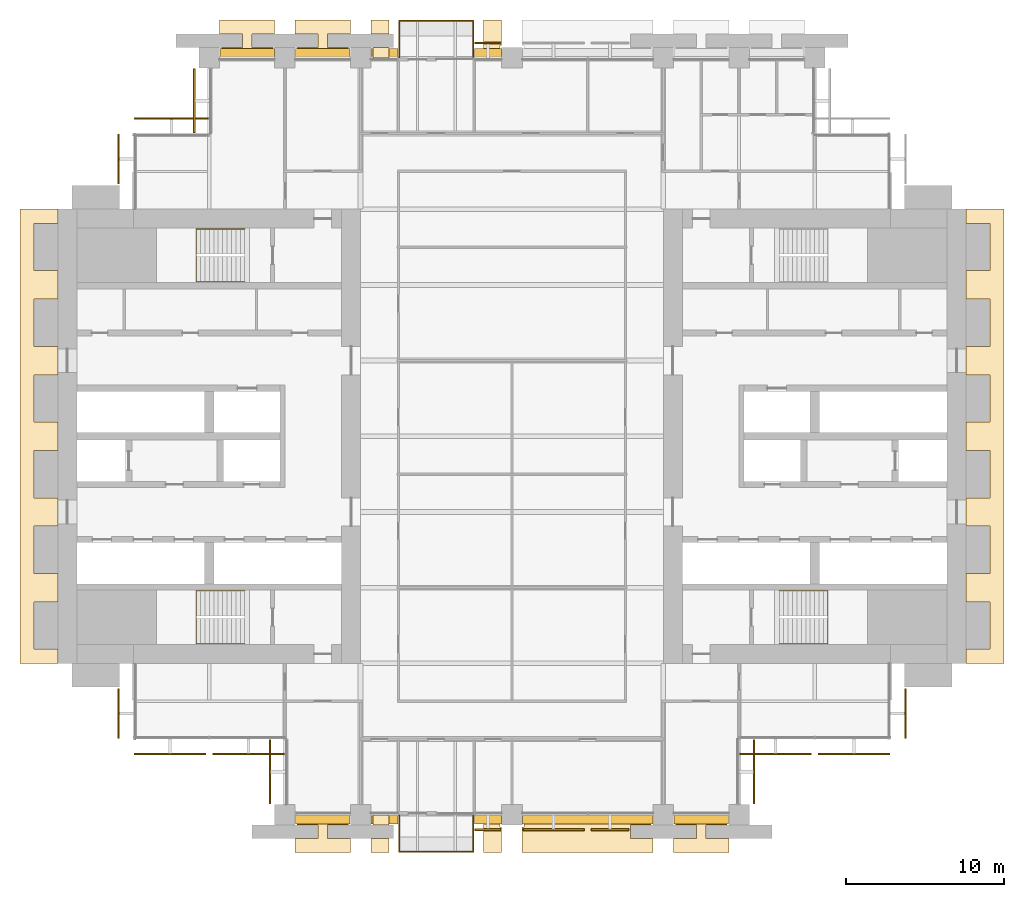
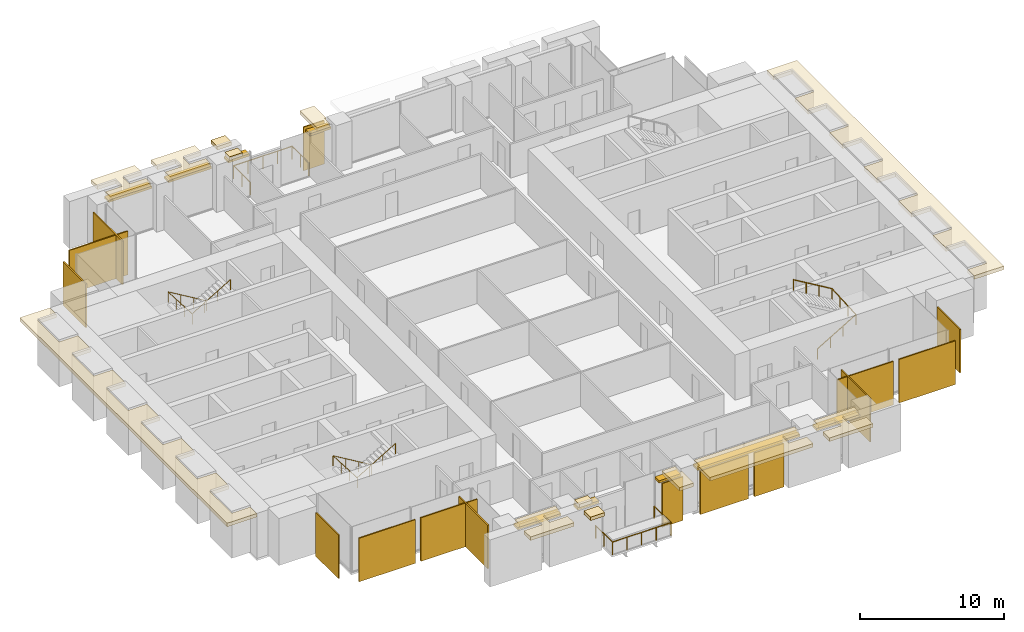
# One storey, part 14 of 15: 28 coverings, 9 shading devices, 5 railings.
"""IFC4 building model written with IfcOpenShell, lengths in metres."""

from ifc_helpers import new_model, si_unit, direction, frame, origin, origin_2d, place, context, subcontext, project, spatial, polyline, rectangle, circle, outline, extrude, material, layer, layer_set, type_object, element, save


model = new_model("IFC4")

# Units and contexts
model_context = context("Model", 3, precision=1e-05, world=origin(), true_north=direction((0.0, 1.0)))
body_context = subcontext(model_context, "Body", "Model", "MODEL_VIEW")
ifc_project = project(units=[si_unit("LENGTHUNIT", "METRE"), si_unit("AREAUNIT", "SQUARE_METRE"), si_unit("VOLUMEUNIT", "CUBIC_METRE"), si_unit("PLANEANGLEUNIT", "RADIAN"), si_unit("MASSUNIT", "GRAM", prefix="KILO")], contexts=[model_context])

# Site, building, storey
site_placement = place(None, origin())
site = spatial("IfcSite", under=ifc_project, at=site_placement, CompositionType="ELEMENT")
building_placement = place(site_placement, origin())
building = spatial("IfcBuilding", under=site, at=building_placement, Name="Baori Bourse Tower", CompositionType="ELEMENT")
storey_placement = place(building_placement, frame((0.0, 0.0, 71.0)))
storey = spatial("IfcBuildingStorey", under=building, at=storey_placement, Name="L15", CompositionType="ELEMENT", Elevation=71.0)

# Coverings
ifc_material_1 = material(Name="Pale anodised aluminium", Category="aluminium")
covering_type_1 = type_object("IfcCoveringType", Name="BD1 Pale metal band", PredefinedType="CLADDING", material=ifc_material_1)
covering_1_placement = place(storey_placement, frame((0.0, 0.0, 3.5400390625)))
element("IfcCovering", 1, at=covering_1_placement, inside=storey, type_object=covering_type_1, Name="Pale projecting band L15 1", PredefinedType="CLADDING", context=body_context, shape_type="SweptSolid", body=[
    extrude(outline(polyline([(57.60009765625, 10.5), (57.60009765625, 9.60009765625), (60.0, 9.60009765625), (60.0, 38.39990234375), (57.60009765625, 38.39990234375), (57.60009765625, 37.5), (59.10009765625, 37.5), (59.10009765625, 34.5), (57.60009765625, 34.5), (57.60009765625, 32.699951171875), (59.10009765625, 32.699951171875), (59.10009765625, 29.699951171875), (57.60009765625, 29.699951171875), (57.60009765625, 27.89990234375), (59.10009765625, 27.89990234375), (59.10009765625, 24.89990234375), (57.60009765625, 24.89990234375), (57.60009765625, 23.10009765625), (59.10009765625, 23.10009765625), (59.10009765625, 20.10009765625), (57.60009765625, 20.10009765625), (57.60009765625, 18.300048828125), (59.10009765625, 18.300048828125), (59.10009765625, 15.300048828125), (57.60009765625, 15.300048828125), (57.60009765625, 13.5), (59.10009765625, 13.5), (59.10009765625, 10.5), (57.60009765625, 10.5)])), origin(), (0.0, 0.0, 1.0), 0.300048828125),
])
covering_2_placement = place(storey_placement, frame((0.0, 0.0, 3.5400390625)))
element("IfcCovering", 2, at=covering_2_placement, inside=storey, type_object=covering_type_1, Name="Pale projecting band L15 5", PredefinedType="CLADDING", context=body_context, shape_type="SweptSolid", body=[
    extrude(outline(polyline([(27.0, 48.0), (28.030029296875, 48.0), (28.030029296875, 48.77001953125), (28.14990234375, 48.77001953125), (28.14990234375, 50.39990234375), (27.0, 50.39990234375), (27.0, 48.0)])), origin(), (0.0, 0.0, 1.0), 0.300048828125),
])
covering_3_placement = place(storey_placement, frame((0.0, 0.0, 3.5400390625)))
element("IfcCovering", 3, at=covering_3_placement, inside=storey, type_object=covering_type_1, Name="Pale projecting band L15 6", PredefinedType="CLADDING", context=body_context, shape_type="SweptSolid", body=[
    extrude(outline(polyline([(19.85009765625, 50.39990234375), (19.85009765625, 49.5), (21.0, 49.5), (21.0, 50.39990234375), (19.85009765625, 50.39990234375)])), origin(), (0.0, 0.0, 1.0), 0.300048828125),
])
covering_4_placement = place(storey_placement, frame((0.0, 0.0, 3.5400390625)))
element("IfcCovering", 4, at=covering_4_placement, inside=storey, type_object=covering_type_1, Name="Pale projecting band L15 7", PredefinedType="CLADDING", context=body_context, shape_type="SweptSolid", body=[
    extrude(outline(polyline([(19.969970703125, 48.0), (21.0, 48.0), (21.0, 48.64990234375), (19.969970703125, 48.64990234375), (19.969970703125, 48.0)])), origin(), (0.0, 0.0, 1.0), 0.300048828125),
])
covering_5_placement = place(storey_placement, frame((0.0, 0.0, 3.5400390625)))
element("IfcCovering", 5, at=covering_5_placement, inside=storey, type_object=covering_type_1, Name="Pale projecting band L15 8", PredefinedType="CLADDING", context=body_context, shape_type="SweptSolid", body=[
    extrude(outline(polyline([(15.169921875, 48.0), (18.429931640625, 48.0), (18.429931640625, 48.64990234375), (17.10009765625, 48.64990234375), (17.10009765625, 49.5), (18.550048828125, 49.5), (18.550048828125, 50.39990234375), (15.050048828125, 50.39990234375), (15.050048828125, 49.5), (16.5, 49.5), (16.5, 48.64990234375), (15.169921875, 48.64990234375), (15.169921875, 48.0)])), origin(), (0.0, 0.0, 1.0), 0.300048828125),
])
covering_6_placement = place(storey_placement, frame((0.0, 0.0, 3.5400390625)))
element("IfcCovering", 6, at=covering_6_placement, inside=storey, type_object=covering_type_1, Name="Pale projecting band L15 9", PredefinedType="CLADDING", context=body_context, shape_type="SweptSolid", body=[
    extrude(outline(polyline([(10.3701171875, 48.0), (13.6298828125, 48.0), (13.6298828125, 48.64990234375), (12.300048828125, 48.64990234375), (12.300048828125, 49.5), (13.75, 49.5), (13.75, 50.39990234375), (10.25, 50.39990234375), (10.25, 49.5), (11.699951171875, 49.5), (11.699951171875, 48.64990234375), (10.3701171875, 48.64990234375), (10.3701171875, 48.0)])), origin(), (0.0, 0.0, 1.0), 0.300048828125),
])
covering_7_placement = place(storey_placement, frame((0.0, 0.0, 3.5400390625)))
element("IfcCovering", 7, at=covering_7_placement, inside=storey, type_object=covering_type_1, Name="Pale projecting band L15 10", PredefinedType="CLADDING", context=body_context, shape_type="SweptSolid", body=[
    extrude(outline(polyline([(0.0, 37.5), (0.0, 38.39990234375), (-2.39990234375, 38.39990234375), (-2.39990234375, 9.60009765625), (0.0, 9.60009765625), (0.0, 10.5), (-1.5, 10.5), (-1.5, 13.5), (0.0, 13.5), (0.0, 15.300048828125), (-1.5, 15.300048828125), (-1.5, 18.300048828125), (0.0, 18.300048828125), (0.0, 20.10009765625), (-1.5, 20.10009765625), (-1.5, 23.10009765625), (0.0, 23.10009765625), (0.0, 24.89990234375), (-1.5, 24.89990234375), (-1.5, 27.89990234375), (0.0, 27.89990234375), (0.0, 29.699951171875), (-1.5, 29.699951171875), (-1.5, 32.699951171875), (0.0, 32.699951171875), (0.0, 34.5), (-1.5, 34.5), (-1.5, 37.5), (0.0, 37.5)])), origin(), (0.0, 0.0, 1.0), 0.300048828125),
])
covering_8_placement = place(storey_placement, frame((0.0, 0.0, 3.5400390625)))
element("IfcCovering", 8, at=covering_8_placement, inside=storey, type_object=covering_type_1, Name="Pale projecting band L15 11", PredefinedType="CLADDING", context=body_context, shape_type="SweptSolid", body=[
    extrude(outline(polyline([(18.429931640625, 0.0), (15.169921875, 0.0), (15.169921875, -0.64990234375), (16.5, -0.64990234375), (16.5, -1.5), (15.050048828125, -1.5), (15.050048828125, -2.39990234375), (18.550048828125, -2.39990234375), (18.550048828125, -1.5), (17.10009765625, -1.5), (17.10009765625, -0.64990234375), (18.429931640625, -0.64990234375), (18.429931640625, 0.0)])), origin(), (0.0, 0.0, 1.0), 0.300048828125),
])
covering_9_placement = place(storey_placement, frame((0.0, 0.0, 3.5400390625)))
element("IfcCovering", 9, at=covering_9_placement, inside=storey, type_object=covering_type_1, Name="Pale projecting band L15 12", PredefinedType="CLADDING", context=body_context, shape_type="SweptSolid", body=[
    extrude(outline(polyline([(19.85009765625, -2.39990234375), (21.0, -2.39990234375), (21.0, -1.5), (19.85009765625, -1.5), (19.85009765625, -2.39990234375)])), origin(), (0.0, 0.0, 1.0), 0.300048828125),
])
covering_10_placement = place(storey_placement, frame((0.0, 0.0, 3.5400390625)))
element("IfcCovering", 10, at=covering_10_placement, inside=storey, type_object=covering_type_1, Name="Pale projecting band L15 13", PredefinedType="CLADDING", context=body_context, shape_type="SweptSolid", body=[
    extrude(outline(polyline([(21.0, 0.0), (19.969970703125, 0.0), (19.969970703125, -0.64990234375), (21.0, -0.64990234375), (21.0, 0.0)])), origin(), (0.0, 0.0, 1.0), 0.300048828125),
])
covering_11_placement = place(storey_placement, frame((0.0, 0.0, 3.5400390625)))
element("IfcCovering", 11, at=covering_11_placement, inside=storey, type_object=covering_type_1, Name="Pale projecting band L15 14", PredefinedType="CLADDING", context=body_context, shape_type="SweptSolid", body=[
    extrude(outline(polyline([(28.030029296875, 0.0), (27.0, 0.0), (27.0, -2.39990234375), (28.14990234375, -2.39990234375), (28.14990234375, -0.77001953125), (28.030029296875, -0.77001953125), (28.030029296875, 0.0)])), origin(), (0.0, 0.0, 1.0), 0.300048828125),
])
covering_12_placement = place(storey_placement, frame((0.0, 0.0, 3.5400390625)))
element("IfcCovering", 12, at=covering_12_placement, inside=storey, type_object=covering_type_1, Name="Pale projecting band L15 15", PredefinedType="CLADDING", context=body_context, shape_type="SweptSolid", body=[
    extrude(outline(polyline([(37.6298828125, 0.0), (29.570068359375, 0.0), (29.570068359375, -0.77001953125), (29.449951171875, -0.77001953125), (29.449951171875, -2.39990234375), (37.75, -2.39990234375), (37.75, -1.5), (36.300048828125, -1.5), (36.300048828125, -0.64990234375), (37.6298828125, -0.64990234375), (37.6298828125, 0.0)])), origin(), (0.0, 0.0, 1.0), 0.300048828125),
])
covering_13_placement = place(storey_placement, frame((0.0, 0.0, 3.5400390625)))
element("IfcCovering", 13, at=covering_13_placement, inside=storey, type_object=covering_type_1, Name="Pale projecting band L15 16", PredefinedType="CLADDING", context=body_context, shape_type="SweptSolid", body=[
    extrude(outline(polyline([(42.429931640625, 0.0), (39.169921875, 0.0), (39.169921875, -0.64990234375), (40.5, -0.64990234375), (40.5, -1.5), (39.050048828125, -1.5), (39.050048828125, -2.39990234375), (42.550048828125, -2.39990234375), (42.550048828125, -1.5), (41.10009765625, -1.5), (41.10009765625, -0.64990234375), (42.429931640625, -0.64990234375), (42.429931640625, 0.0)])), origin(), (0.0, 0.0, 1.0), 0.300048828125),
])

# Shading devices
ifc_material_2 = material(Name="Concrete f'c 40 MPa", Category="concrete")
ifc_layer_1 = layer(ifc_material_2, 0.199951171875)
ifc_layer_set_1 = layer_set([ifc_layer_1], Name="BS1 Brise-soleil ledge")
shading_device_type = type_object("IfcShadingDeviceType", Name="BS1 Brise-soleil ledge", PredefinedType="USERDEFINED", material=ifc_layer_set_1)
for number, where, z_axis, x_axis, name in (
    (14, (27.27490234375, 48.300048828125, 3.33984375), (0.0, 0.0, 1.0), (-1.0, 0.0, 0.0), "Brise-soleil ledge L15 4"),
    (15, (20.72509765625, 48.300048828125, 3.33984375), (0.0, 0.0, 1.0), (-1.0, 0.0, 0.0), "Brise-soleil ledge L15 5"),
):
    element("IfcShadingDevice", number, at=place(storey_placement, frame(where, z_axis=z_axis, x_axis=x_axis)), inside=storey, type_object=shading_device_type, Name=name, ObjectType="BRISE SOLEIL", PredefinedType="USERDEFINED", context=body_context, shape_type="SweptSolid", body=[
        extrude(rectangle(XDim=1.7099609375, YDim=0.60009765625, at=origin_2d()), origin(), (0.0, 0.0, 1.0), 0.199951171875),
    ])
for number, where, z_axis, x_axis, name in (
    (16, (16.800048828125, 48.300048828125, 3.33984375), (0.0, 0.0, 1.0), (-1.0, 0.0, 0.0), "Brise-soleil ledge L15 6"),
    (17, (12.0, 48.300048828125, 3.33984375), (0.0, 0.0, 1.0), (-1.0, 0.0, 0.0), "Brise-soleil ledge L15 7"),
    (18, (16.800048828125, -0.300048828125, 3.33984375), (0.0, 0.0, 1.0), (1.0, 0.0, 0.0), "Brise-soleil ledge L15 8"),
):
    element("IfcShadingDevice", number, at=place(storey_placement, frame(where, z_axis=z_axis, x_axis=x_axis)), inside=storey, type_object=shading_device_type, Name=name, ObjectType="BRISE SOLEIL", PredefinedType="USERDEFINED", context=body_context, shape_type="SweptSolid", body=[
        extrude(rectangle(XDim=3.4599609375, YDim=0.60009765625, at=origin_2d()), origin(), (0.0, 0.0, 1.0), 0.199951171875),
    ])
for number, where, z_axis, x_axis, name in (
    (19, (20.72509765625, -0.300048828125, 3.33984375), (0.0, 0.0, 1.0), (1.0, 0.0, 0.0), "Brise-soleil ledge L15 9"),
    (20, (27.27490234375, -0.300048828125, 3.33984375), (0.0, 0.0, 1.0), (1.0, 0.0, 0.0), "Brise-soleil ledge L15 10"),
):
    element("IfcShadingDevice", number, at=place(storey_placement, frame(where, z_axis=z_axis, x_axis=x_axis)), inside=storey, type_object=shading_device_type, Name=name, ObjectType="BRISE SOLEIL", PredefinedType="USERDEFINED", context=body_context, shape_type="SweptSolid", body=[
        extrude(rectangle(XDim=1.7099609375, YDim=0.60009765625, at=origin_2d()), origin(), (0.0, 0.0, 1.0), 0.199951171875),
    ])
shading_device_1_placement = place(storey_placement, frame((33.60009765625, -0.300048828125, 3.33984375), z_axis=(0.0, 0.0, 1.0), x_axis=(1.0, 0.0, 0.0)))
element("IfcShadingDevice", 21, at=shading_device_1_placement, inside=storey, type_object=shading_device_type, Name="Brise-soleil ledge L15 11", ObjectType="BRISE SOLEIL", PredefinedType="USERDEFINED", context=body_context, shape_type="SweptSolid", body=[
    extrude(rectangle(XDim=8.260009765625, YDim=0.60009765625, at=origin_2d()), origin(), (0.0, 0.0, 1.0), 0.199951171875),
])
shading_device_2_placement = place(storey_placement, frame((40.800048828125, -0.300048828125, 3.33984375), z_axis=(0.0, 0.0, 1.0), x_axis=(1.0, 0.0, 0.0)))
element("IfcShadingDevice", 22, at=shading_device_2_placement, inside=storey, type_object=shading_device_type, Name="Brise-soleil ledge L15 12", ObjectType="BRISE SOLEIL", PredefinedType="USERDEFINED", context=body_context, shape_type="SweptSolid", body=[
    extrude(rectangle(XDim=3.4599609375, YDim=0.60009765625, at=origin_2d()), origin(), (0.0, 0.0, 1.0), 0.199951171875),
])

# Railings
ifc_material_3 = material(Name="Powder-coated steel balustrade", Category="steel")
railing_type_1 = type_object("IfcRailingType", Name="Core stair handrail", PredefinedType="HANDRAIL", material=ifc_material_3)
railing_1_placement = place(storey_placement, frame((11.85009765625, 14.199951171875, 0.166748046875)))
element("IfcRailing", 23, at=railing_1_placement, inside=storey, type_object=railing_type_1, Name="L15 ST1 stair handrail 1", PredefinedType="HANDRAIL", context=body_context, shape_type="SweptSolid", body=[
    extrude(circle(Radius=0.02392578125, at=origin_2d()), frame((0.0, 0.0, 0.8759765625), z_axis=(-0.859308565015, 0.0, 0.511457515432), x_axis=(0.0, -1.0, 0.0)), (0.0, 0.0, 1.0), 3.58447265625),
    extrude(circle(Radius=0.02392578125, at=origin_2d()), frame((-3.080078125, 0.0, 2.708984375), z_axis=(0.0, -0.998763387249, 0.04971615724), x_axis=(1.0, 0.0, 0.0)), (0.0, 0.0, 1.0), 3.35400390625),
    extrude(circle(Radius=0.02392578125, at=origin_2d()), frame((-3.080078125, -3.349853515625, 2.8759765625), z_axis=(0.859308565015, 0.0, 0.511457515432), x_axis=(0.0, 1.0, 0.0)), (0.0, 0.0, 1.0), 3.58447265625),
    extrude(circle(Radius=0.02099609375, at=origin_2d()), origin(), (0.0, 0.0, 1.0), 0.851806640625),
    extrude(circle(Radius=0.02099609375, at=origin_2d()), frame((-1.026611328125, 0.0, 0.611083984375)), (0.0, 0.0, 1.0), 0.851806640625),
    extrude(circle(Radius=0.02099609375, at=origin_2d()), frame((-2.053466796875, 0.0, 1.22216796875)), (0.0, 0.0, 1.0), 0.851806640625),
    extrude(circle(Radius=0.02099609375, at=origin_2d()), frame((-3.080078125, 0.0, 1.833251953125)), (0.0, 0.0, 1.0), 0.851806640625),
    extrude(circle(Radius=0.02099609375, at=origin_2d()), frame((-3.080078125, -1.11669921875, 1.888916015625)), (0.0, 0.0, 1.0), 0.851806640625),
    extrude(circle(Radius=0.02099609375, at=origin_2d()), frame((-3.080078125, -2.233154296875, 1.9443359375)), (0.0, 0.0, 1.0), 0.851806640625),
    extrude(circle(Radius=0.02099609375, at=origin_2d()), frame((-3.080078125, -3.349853515625, 2.0)), (0.0, 0.0, 1.0), 0.851806640625),
    extrude(circle(Radius=0.02099609375, at=origin_2d()), frame((-2.053466796875, -3.349853515625, 2.611083984375)), (0.0, 0.0, 1.0), 0.851806640625),
    extrude(circle(Radius=0.02099609375, at=origin_2d()), frame((-1.026611328125, -3.349853515625, 3.22216796875)), (0.0, 0.0, 1.0), 0.851806640625),
    extrude(circle(Radius=0.02099609375, at=origin_2d()), frame((0.0, -3.349853515625, 3.833251953125)), (0.0, 0.0, 1.0), 0.851806640625),
])
railing_2_placement = place(storey_placement, frame((11.85009765625, 37.14990234375, 0.166748046875)))
element("IfcRailing", 24, at=railing_2_placement, inside=storey, type_object=railing_type_1, Name="L15 ST2 stair handrail 1", PredefinedType="HANDRAIL", context=body_context, shape_type="SweptSolid", body=[
    extrude(circle(Radius=0.02392578125, at=origin_2d()), frame((0.0, 0.0, 0.8759765625), z_axis=(-0.859308565015, 0.0, 0.511457515432), x_axis=(0.0, -1.0, 0.0)), (0.0, 0.0, 1.0), 3.58447265625),
    extrude(circle(Radius=0.02392578125, at=origin_2d()), frame((-3.080078125, 0.0, 2.708984375), z_axis=(0.0, -0.998763387249, 0.04971615724), x_axis=(1.0, 0.0, 0.0)), (0.0, 0.0, 1.0), 3.35400390625),
    extrude(circle(Radius=0.02392578125, at=origin_2d()), frame((-3.080078125, -3.349853515625, 2.8759765625), z_axis=(0.859308565015, 0.0, 0.511457515432), x_axis=(0.0, 1.0, 0.0)), (0.0, 0.0, 1.0), 3.58447265625),
    extrude(circle(Radius=0.02099609375, at=origin_2d()), origin(), (0.0, 0.0, 1.0), 0.851806640625),
    extrude(circle(Radius=0.02099609375, at=origin_2d()), frame((-1.026611328125, 0.0, 0.611083984375)), (0.0, 0.0, 1.0), 0.851806640625),
    extrude(circle(Radius=0.02099609375, at=origin_2d()), frame((-2.053466796875, 0.0, 1.22216796875)), (0.0, 0.0, 1.0), 0.851806640625),
    extrude(circle(Radius=0.02099609375, at=origin_2d()), frame((-3.080078125, 0.0, 1.833251953125)), (0.0, 0.0, 1.0), 0.851806640625),
    extrude(circle(Radius=0.02099609375, at=origin_2d()), frame((-3.080078125, -1.11669921875, 1.888916015625)), (0.0, 0.0, 1.0), 0.851806640625),
    extrude(circle(Radius=0.02099609375, at=origin_2d()), frame((-3.080078125, -2.233154296875, 1.9443359375)), (0.0, 0.0, 1.0), 0.851806640625),
    extrude(circle(Radius=0.02099609375, at=origin_2d()), frame((-3.080078125, -3.349853515625, 2.0)), (0.0, 0.0, 1.0), 0.851806640625),
    extrude(circle(Radius=0.02099609375, at=origin_2d()), frame((-2.053466796875, -3.349853515625, 2.611083984375)), (0.0, 0.0, 1.0), 0.851806640625),
    extrude(circle(Radius=0.02099609375, at=origin_2d()), frame((-1.026611328125, -3.349853515625, 3.22216796875)), (0.0, 0.0, 1.0), 0.851806640625),
    extrude(circle(Radius=0.02099609375, at=origin_2d()), frame((0.0, -3.349853515625, 3.833251953125)), (0.0, 0.0, 1.0), 0.851806640625),
])
railing_3_placement = place(storey_placement, frame((45.75, 10.85009765625, 0.166748046875)))
element("IfcRailing", 25, at=railing_3_placement, inside=storey, type_object=railing_type_1, Name="L15 ST3 stair handrail 1", PredefinedType="HANDRAIL", context=body_context, shape_type="SweptSolid", body=[
    extrude(circle(Radius=0.02392578125, at=origin_2d()), frame((0.0, 0.0, 0.8759765625), z_axis=(0.859308565015, 0.0, 0.511457515432), x_axis=(0.0, 1.0, 0.0)), (0.0, 0.0, 1.0), 3.58447265625),
    extrude(circle(Radius=0.02392578125, at=origin_2d()), frame((3.080078125, 0.0, 2.708984375), z_axis=(0.0, 0.998763387249, 0.04971615724), x_axis=(-1.0, 0.0, 0.0)), (0.0, 0.0, 1.0), 3.35400390625),
    extrude(circle(Radius=0.02392578125, at=origin_2d()), frame((3.080078125, 3.349853515625, 2.8759765625), z_axis=(-0.859308565015, 0.0, 0.511457515432), x_axis=(0.0, -1.0, 0.0)), (0.0, 0.0, 1.0), 3.58447265625),
    extrude(circle(Radius=0.02099609375, at=origin_2d()), origin(), (0.0, 0.0, 1.0), 0.851806640625),
    extrude(circle(Radius=0.02099609375, at=origin_2d()), frame((1.026611328125, 0.0, 0.611083984375)), (0.0, 0.0, 1.0), 0.851806640625),
    extrude(circle(Radius=0.02099609375, at=origin_2d()), frame((2.053466796875, 0.0, 1.22216796875)), (0.0, 0.0, 1.0), 0.851806640625),
    extrude(circle(Radius=0.02099609375, at=origin_2d()), frame((3.080078125, 0.0, 1.833251953125)), (0.0, 0.0, 1.0), 0.851806640625),
    extrude(circle(Radius=0.02099609375, at=origin_2d()), frame((3.080078125, 1.11669921875, 1.888916015625)), (0.0, 0.0, 1.0), 0.851806640625),
    extrude(circle(Radius=0.02099609375, at=origin_2d()), frame((3.080078125, 2.233154296875, 1.9443359375)), (0.0, 0.0, 1.0), 0.851806640625),
    extrude(circle(Radius=0.02099609375, at=origin_2d()), frame((3.080078125, 3.349853515625, 2.0)), (0.0, 0.0, 1.0), 0.851806640625),
    extrude(circle(Radius=0.02099609375, at=origin_2d()), frame((2.053466796875, 3.349853515625, 2.611083984375)), (0.0, 0.0, 1.0), 0.851806640625),
    extrude(circle(Radius=0.02099609375, at=origin_2d()), frame((1.026611328125, 3.349853515625, 3.22216796875)), (0.0, 0.0, 1.0), 0.851806640625),
    extrude(circle(Radius=0.02099609375, at=origin_2d()), frame((0.0, 3.349853515625, 3.833251953125)), (0.0, 0.0, 1.0), 0.851806640625),
])
ifc_material_4 = material(Name="Stainless steel", Category="steel")
railing_type_2 = type_object("IfcRailingType", Name="GD1 Guard", PredefinedType="GUARDRAIL", material=ifc_material_4)
railing_4_placement = place(storey_placement, frame((21.64990234375, -0.030029296875, 0.0)))
element("IfcRailing", 26, at=railing_4_placement, inside=storey, type_object=railing_type_2, Name="Guard balcony S L15 1", PredefinedType="GUARDRAIL", context=body_context, shape_type="SweptSolid", body=[
    extrude(circle(Radius=0.02392578125, at=origin_2d()), frame((0.0, 0.0, 1.076171875), z_axis=(0.0, -1.0, 0.0), x_axis=(1.0, 0.0, 0.0)), (0.0, 0.0, 1.0), 2.320068359375),
    extrude(circle(Radius=0.02392578125, at=origin_2d()), frame((0.0, -2.320068359375, 1.076171875), z_axis=(1.0, 0.0, 0.0), x_axis=(0.0, 1.0, 0.0)), (0.0, 0.0, 1.0), 4.7001953125),
    extrude(circle(Radius=0.02392578125, at=origin_2d()), frame((4.7001953125, -2.320068359375, 1.076171875), z_axis=(0.0, 1.0, 0.0), x_axis=(-1.0, 0.0, 0.0)), (0.0, 0.0, 1.0), 2.320068359375),
    extrude(circle(Radius=0.02099609375, at=origin_2d()), origin(), (0.0, 0.0, 1.0), 1.052001953125),
    extrude(circle(Radius=0.02099609375, at=origin_2d()), frame((0.0, -1.16015625, 0.0)), (0.0, 0.0, 1.0), 1.052001953125),
    extrude(circle(Radius=0.02099609375, at=origin_2d()), frame((0.0, -2.320068359375, 0.0)), (0.0, 0.0, 1.0), 1.052001953125),
    extrude(circle(Radius=0.02099609375, at=origin_2d()), frame((1.175048828125, -2.320068359375, 0.0)), (0.0, 0.0, 1.0), 1.052001953125),
    extrude(circle(Radius=0.02099609375, at=origin_2d()), frame((2.35009765625, -2.320068359375, 0.0)), (0.0, 0.0, 1.0), 1.052001953125),
    extrude(circle(Radius=0.02099609375, at=origin_2d()), frame((3.525146484375, -2.320068359375, 0.0)), (0.0, 0.0, 1.0), 1.052001953125),
    extrude(circle(Radius=0.02099609375, at=origin_2d()), frame((4.7001953125, -2.320068359375, 0.0)), (0.0, 0.0, 1.0), 1.052001953125),
    extrude(circle(Radius=0.02099609375, at=origin_2d()), frame((4.7001953125, -1.16015625, 0.0)), (0.0, 0.0, 1.0), 1.052001953125),
    extrude(circle(Radius=0.02099609375, at=origin_2d()), frame((4.7001953125, 0.0, 0.0)), (0.0, 0.0, 1.0), 1.052001953125),
])
railing_5_placement = place(storey_placement, frame((21.64990234375, 48.030029296875, 0.0)))
element("IfcRailing", 27, at=railing_5_placement, inside=storey, type_object=railing_type_2, Name="Guard balcony N L15 2", PredefinedType="GUARDRAIL", context=body_context, shape_type="SweptSolid", body=[
    extrude(circle(Radius=0.02392578125, at=origin_2d()), frame((0.0, 0.0, 1.076171875), z_axis=(0.0, 1.0, 0.0), x_axis=(-1.0, 0.0, 0.0)), (0.0, 0.0, 1.0), 2.320068359375),
    extrude(circle(Radius=0.02392578125, at=origin_2d()), frame((0.0, 2.320068359375, 1.076171875), z_axis=(1.0, 0.0, 0.0), x_axis=(0.0, 1.0, 0.0)), (0.0, 0.0, 1.0), 4.7001953125),
    extrude(circle(Radius=0.02392578125, at=origin_2d()), frame((4.7001953125, 2.320068359375, 1.076171875), z_axis=(0.0, -1.0, 0.0), x_axis=(1.0, 0.0, 0.0)), (0.0, 0.0, 1.0), 2.320068359375),
    extrude(circle(Radius=0.02099609375, at=origin_2d()), origin(), (0.0, 0.0, 1.0), 1.052001953125),
    extrude(circle(Radius=0.02099609375, at=origin_2d()), frame((0.0, 1.16015625, 0.0)), (0.0, 0.0, 1.0), 1.052001953125),
    extrude(circle(Radius=0.02099609375, at=origin_2d()), frame((0.0, 2.320068359375, 0.0)), (0.0, 0.0, 1.0), 1.052001953125),
    extrude(circle(Radius=0.02099609375, at=origin_2d()), frame((1.175048828125, 2.320068359375, 0.0)), (0.0, 0.0, 1.0), 1.052001953125),
    extrude(circle(Radius=0.02099609375, at=origin_2d()), frame((2.35009765625, 2.320068359375, 0.0)), (0.0, 0.0, 1.0), 1.052001953125),
    extrude(circle(Radius=0.02099609375, at=origin_2d()), frame((3.525146484375, 2.320068359375, 0.0)), (0.0, 0.0, 1.0), 1.052001953125),
    extrude(circle(Radius=0.02099609375, at=origin_2d()), frame((4.7001953125, 2.320068359375, 0.0)), (0.0, 0.0, 1.0), 1.052001953125),
    extrude(circle(Radius=0.02099609375, at=origin_2d()), frame((4.7001953125, 1.16015625, 0.0)), (0.0, 0.0, 1.0), 1.052001953125),
    extrude(circle(Radius=0.02099609375, at=origin_2d()), frame((4.7001953125, 0.0, 0.0)), (0.0, 0.0, 1.0), 1.052001953125),
])

# Coverings
ifc_material_5 = material(Name="Pale anodised aluminium", Category="aluminium")
ifc_layer_2 = layer(ifc_material_5, 0.10009765625)
ifc_layer_set_2 = layer_set([ifc_layer_2], Name="OS3 Outer skin screen panel")
covering_type_2 = type_object("IfcCoveringType", Name="OS3 Outer skin screen panel", PredefinedType="CLADDING", material=ifc_layer_set_2)
covering_14_placement = place(storey_placement, frame((0.0, 0.0, -0.159912109375)))
element("IfcCovering", 28, at=covering_14_placement, inside=storey, type_object=covering_type_2, Name="Outer skin screen L15 6", PredefinedType="CLADDING", context=body_context, shape_type="SweptSolid", body=[
    extrude(outline(polyline([(26.449951171875, 48.89990234375), (28.10009765625, 48.89990234375), (28.10009765625, 49.0), (26.449951171875, 49.0), (26.449951171875, 48.89990234375)])), origin(), (0.0, 0.0, 1.0), 3.699951171875),
])
covering_15_placement = place(storey_placement, frame((0.0, 0.0, -0.159912109375)))
element("IfcCovering", 29, at=covering_15_placement, inside=storey, type_object=covering_type_2, Name="Outer skin screen L15 7", PredefinedType="CLADDING", context=body_context, shape_type="SweptSolid", body=[
    extrude(outline(polyline([(8.699951171875, 43.25), (8.699951171875, 47.300048828125), (8.60009765625, 47.300048828125), (8.60009765625, 43.25), (8.699951171875, 43.25)])), origin(), (0.0, 0.0, 1.0), 3.699951171875),
])
covering_16_placement = place(storey_placement, frame((0.0, 0.0, -0.159912109375)))
element("IfcCovering", 30, at=covering_16_placement, inside=storey, type_object=covering_type_2, Name="Outer skin screen L15 8", PredefinedType="CLADDING", context=body_context, shape_type="SweptSolid", body=[
    extrude(outline(polyline([(4.85009765625, 44.10009765625), (9.550048828125, 44.10009765625), (9.550048828125, 44.199951171875), (4.85009765625, 44.199951171875), (4.85009765625, 44.10009765625)])), origin(), (0.0, 0.0, 1.0), 3.699951171875),
])
covering_17_placement = place(storey_placement, frame((0.0, 0.0, -0.159912109375)))
element("IfcCovering", 31, at=covering_17_placement, inside=storey, type_object=covering_type_2, Name="Outer skin screen L15 9", PredefinedType="CLADDING", context=body_context, shape_type="SweptSolid", body=[
    extrude(outline(polyline([(3.89990234375, 40.0), (3.89990234375, 43.14990234375), (3.800048828125, 43.14990234375), (3.800048828125, 40.0), (3.89990234375, 40.0), (3.89990234375, 40.0)])), origin(), (0.0, 0.0, 1.0), 3.699951171875),
])
covering_18_placement = place(storey_placement, frame((0.0, 0.0, -0.159912109375)))
element("IfcCovering", 32, at=covering_18_placement, inside=storey, type_object=covering_type_2, Name="Outer skin screen L15 10", PredefinedType="CLADDING", context=body_context, shape_type="SweptSolid", body=[
    extrude(outline(polyline([(3.89990234375, 4.85009765625), (3.89990234375, 8.0), (3.89990234375, 8.0), (3.800048828125, 8.0), (3.800048828125, 4.85009765625), (3.89990234375, 4.85009765625)])), origin(), (0.0, 0.0, 1.0), 3.699951171875),
])
covering_19_placement = place(storey_placement, frame((0.0, 0.0, -0.159912109375)))
element("IfcCovering", 33, at=covering_19_placement, inside=storey, type_object=covering_type_2, Name="Outer skin screen L15 11", PredefinedType="CLADDING", context=body_context, shape_type="SweptSolid", body=[
    extrude(outline(polyline([(9.375, 3.89990234375), (4.85009765625, 3.89990234375), (4.85009765625, 3.800048828125), (9.375, 3.800048828125), (9.375, 3.89990234375)])), origin(), (0.0, 0.0, 1.0), 3.699951171875),
])
covering_20_placement = place(storey_placement, frame((0.0, 0.0, -0.159912109375)))
element("IfcCovering", 34, at=covering_20_placement, inside=storey, type_object=covering_type_2, Name="Outer skin screen L15 12", PredefinedType="CLADDING", context=body_context, shape_type="SweptSolid", body=[
    extrude(outline(polyline([(14.35009765625, 3.89990234375), (9.824951171875, 3.89990234375), (9.824951171875, 3.800048828125), (14.35009765625, 3.800048828125), (14.35009765625, 3.89990234375)])), origin(), (0.0, 0.0, 1.0), 3.699951171875),
])
covering_21_placement = place(storey_placement, frame((0.0, 0.0, -0.159912109375)))
element("IfcCovering", 35, at=covering_21_placement, inside=storey, type_object=covering_type_2, Name="Outer skin screen L15 13", PredefinedType="CLADDING", context=body_context, shape_type="SweptSolid", body=[
    extrude(outline(polyline([(13.5, 0.699951171875), (13.5, 4.75), (13.39990234375, 4.75), (13.39990234375, 0.699951171875), (13.5, 0.699951171875)])), origin(), (0.0, 0.0, 1.0), 3.699951171875),
])
covering_22_placement = place(storey_placement, frame((0.0, 0.0, -0.159912109375)))
element("IfcCovering", 36, at=covering_22_placement, inside=storey, type_object=covering_type_2, Name="Outer skin screen L15 14", PredefinedType="CLADDING", context=body_context, shape_type="SweptSolid", body=[
    extrude(outline(polyline([(28.10009765625, -0.89990234375), (26.449951171875, -0.89990234375), (26.449951171875, -1.0), (28.10009765625, -1.0), (28.10009765625, -0.89990234375)])), origin(), (0.0, 0.0, 1.0), 3.699951171875),
])
covering_23_placement = place(storey_placement, frame((0.0, 0.0, -0.159912109375)))
element("IfcCovering", 37, at=covering_23_placement, inside=storey, type_object=covering_type_2, Name="Outer skin screen L15 15", PredefinedType="CLADDING", context=body_context, shape_type="SweptSolid", body=[
    extrude(outline(polyline([(33.375, -0.89990234375), (29.5, -0.89990234375), (29.5, -1.0), (33.375, -1.0), (33.375, -0.89990234375)])), origin(), (0.0, 0.0, 1.0), 3.699951171875),
])
covering_24_placement = place(storey_placement, frame((0.0, 0.0, -0.159912109375)))
element("IfcCovering", 38, at=covering_24_placement, inside=storey, type_object=covering_type_2, Name="Outer skin screen L15 16", PredefinedType="CLADDING", context=body_context, shape_type="SweptSolid", body=[
    extrude(outline(polyline([(36.199951171875, -0.89990234375), (33.824951171875, -0.89990234375), (33.824951171875, -1.0), (36.199951171875, -1.0), (36.199951171875, -0.89990234375)])), origin(), (0.0, 0.0, 1.0), 3.699951171875),
])
covering_25_placement = place(storey_placement, frame((0.0, 0.0, -0.159912109375)))
element("IfcCovering", 39, at=covering_25_placement, inside=storey, type_object=covering_type_2, Name="Outer skin screen L15 17", PredefinedType="CLADDING", context=body_context, shape_type="SweptSolid", body=[
    extrude(outline(polyline([(44.10009765625, 4.75), (44.10009765625, 0.699951171875), (44.199951171875, 0.699951171875), (44.199951171875, 4.75), (44.10009765625, 4.75)])), origin(), (0.0, 0.0, 1.0), 3.699951171875),
])
covering_26_placement = place(storey_placement, frame((0.0, 0.0, -0.159912109375)))
element("IfcCovering", 40, at=covering_26_placement, inside=storey, type_object=covering_type_2, Name="Outer skin screen L15 18", PredefinedType="CLADDING", context=body_context, shape_type="SweptSolid", body=[
    extrude(outline(polyline([(47.77490234375, 3.89990234375), (43.25, 3.89990234375), (43.25, 3.800048828125), (47.77490234375, 3.800048828125), (47.77490234375, 3.89990234375)])), origin(), (0.0, 0.0, 1.0), 3.699951171875),
])
covering_27_placement = place(storey_placement, frame((0.0, 0.0, -0.159912109375)))
element("IfcCovering", 41, at=covering_27_placement, inside=storey, type_object=covering_type_2, Name="Outer skin screen L15 19", PredefinedType="CLADDING", context=body_context, shape_type="SweptSolid", body=[
    extrude(outline(polyline([(52.75, 3.89990234375), (48.22509765625, 3.89990234375), (48.22509765625, 3.800048828125), (52.75, 3.800048828125), (52.75, 3.89990234375)])), origin(), (0.0, 0.0, 1.0), 3.699951171875),
])
covering_28_placement = place(storey_placement, frame((0.0, 0.0, -0.159912109375)))
element("IfcCovering", 42, at=covering_28_placement, inside=storey, type_object=covering_type_2, Name="Outer skin screen L15 20", PredefinedType="CLADDING", context=body_context, shape_type="SweptSolid", body=[
    extrude(outline(polyline([(53.699951171875, 8.0), (53.699951171875, 4.85009765625), (53.800048828125, 4.85009765625), (53.800048828125, 8.0), (53.699951171875, 8.0)])), origin(), (0.0, 0.0, 1.0), 3.699951171875),
])

save(model, "model.ifc")
